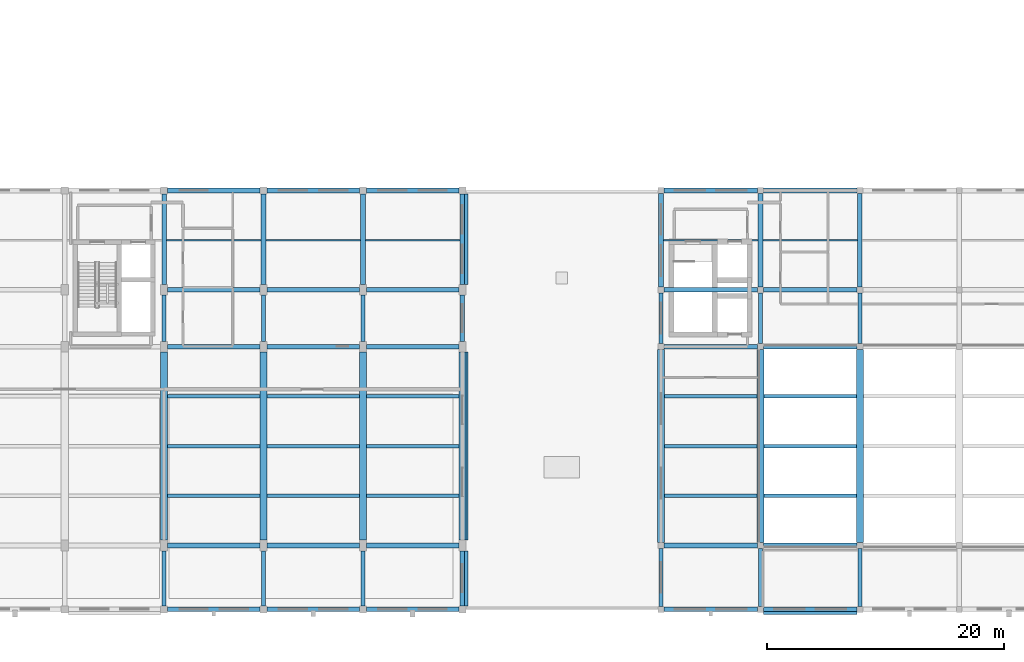
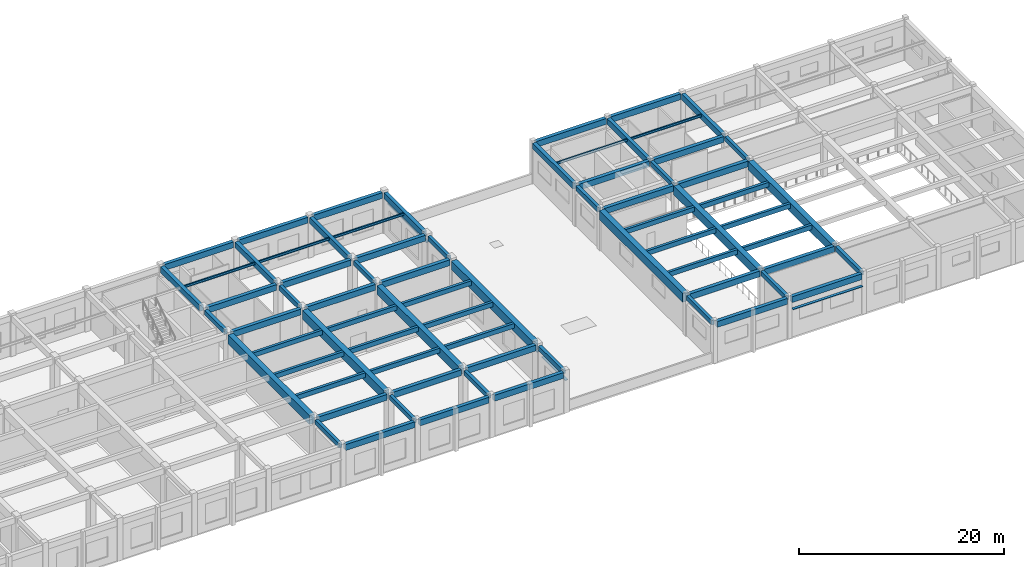
# One storey, part 21 of 77: 73 beams, 4 members.
"""IFC4 building model written with IfcOpenShell, lengths in metres."""

from ifc_helpers import new_model, si_unit, direction, frame, origin, origin_2d, place, context, subcontext, project, spatial, rectangle, hollow_rectangle, i_section, extrude, material, material_profile, profile_set, type_object, element, save


model = new_model("IFC4")

# Units and contexts
model_context = context("Model", 3, precision=1e-05, world=origin(), true_north=direction((0.0, 1.0)))
body_context = subcontext(model_context, "Body", "Model", "MODEL_VIEW")
ifc_project = project(units=[si_unit("LENGTHUNIT", "METRE"), si_unit("AREAUNIT", "SQUARE_METRE"), si_unit("VOLUMEUNIT", "CUBIC_METRE"), si_unit("PLANEANGLEUNIT", "RADIAN"), si_unit("MASSUNIT", "GRAM", prefix="KILO")], contexts=[model_context])

# Site, building, storey
site_placement = place(None, origin())
site = spatial("IfcSite", under=ifc_project, at=site_placement, CompositionType="ELEMENT")
building_placement = place(site_placement, origin())
building = spatial("IfcBuilding", under=site, at=building_placement, Name="Krzemoval Escarpment Law Courts", CompositionType="ELEMENT")
storey_placement = place(building_placement, frame((0.0, 0.0, 15.300048828125)))
storey = spatial("IfcBuildingStorey", under=building, at=storey_placement, Name="L03", CompositionType="ELEMENT", Elevation=15.300048828125)

# Beams
ifc_material_1 = material(Name="Concrete C50/60", Category="concrete")
ifc_material_profile_1 = material_profile(ifc_material_1, rectangle(XDim=0.60009765625, YDim=1.050048828125, at=origin_2d()), Name="PTG 600x1050")
ifc_profile_set_1 = profile_set([ifc_material_profile_1], Name="Concrete C50/60")
beam_type_1 = type_object("IfcBeamType", Name="BM-PTG-600x1050", PredefinedType="BEAM", material=ifc_profile_set_1)
for number, where, z_axis, x_axis, name in (
    (1, (67.199951171875, 5.85009765625, 4.31494140625), (0.0, 1.0, 0.0), (-1.0, 0.0, 0.0), "Beam FG-L03-2281"),
    (2, (75.60009765625, 5.85009765625, 4.31494140625), (0.0, 1.0, 0.0), (-1.0, 0.0, 0.0), "Beam FG-L03-2285"),
    (3, (84.0, 5.85009765625, 4.31494140625), (0.0, 1.0, 0.0), (-1.0, 0.0, 0.0), "Beam FG-L03-2289"),
    (4, (92.39990234375, 5.85009765625, 4.31494140625), (0.0, 1.0, 0.0), (-1.0, 0.0, 0.0), "Beam FG-L03-2293"),
):
    element("IfcBeam", number, at=place(storey_placement, frame(where, z_axis=z_axis, x_axis=x_axis)), inside=storey, type_object=beam_type_1, Name=name, PredefinedType="BEAM", context=body_context, shape_type="SweptSolid", body=[
        extrude(rectangle(XDim=0.60009765625, YDim=1.050048828125, at=origin_2d()), origin(), (0.0, 0.0, 1.0), 15.89990234375),
    ])
for number, where, z_axis, x_axis, name in (
    (5, (109.199951171875, 5.64990234375, 4.31494140625), (0.0, 1.0, 0.0), (-1.0, 0.0, 0.0), "Beam FG-L03-2297"),
    (6, (117.60009765625, 5.64990234375, 4.31494140625), (0.0, 1.0, 0.0), (-1.0, 0.0, 0.0), "Beam FG-L03-2301"),
    (7, (126.0, 5.64990234375, 4.31494140625), (0.0, 1.0, 0.0), (-1.0, 0.0, 0.0), "Beam FG-L03-2305"),
):
    element("IfcBeam", number, at=place(storey_placement, frame(where, z_axis=z_axis, x_axis=x_axis)), inside=storey, type_object=beam_type_1, Name=name, PredefinedType="BEAM", context=body_context, shape_type="SweptSolid", body=[
        extrude(rectangle(XDim=0.60009765625, YDim=1.050048828125, at=origin_2d()), origin(), (0.0, 0.0, 1.0), 16.300048828125),
    ])
ifc_material_2 = material(Name="Concrete C40/50", Category="concrete")
ifc_material_profile_2 = material_profile(ifc_material_2, rectangle(XDim=0.35009765625, YDim=0.550048828125, at=origin_2d()), Name="RCB 350x550")
ifc_profile_set_2 = profile_set([ifc_material_profile_2], Name="Concrete C40/50")
beam_type_2 = type_object("IfcBeamType", Name="BM-RC-350x550", PredefinedType="BEAM", material=ifc_profile_set_2)
beam_1_placement = place(storey_placement, frame((67.199951171875, 0.300048828125, 4.56494140625), z_axis=(0.0, 1.0, 0.0), x_axis=(-1.0, 0.0, 0.0)))
element("IfcBeam", 8, at=beam_1_placement, inside=storey, type_object=beam_type_2, Name="Beam FG-L03-2280", PredefinedType="BEAM", context=body_context, shape_type="SweptSolid", body=[
    extrude(rectangle(XDim=0.35009765625, YDim=0.550048828125, at=origin_2d()), origin(), (0.0, 0.0, 1.0), 4.64990234375),
])
beam_2_placement = place(storey_placement, frame((67.199951171875, 22.64990234375, 4.56494140625), z_axis=(0.0, 1.0, 0.0), x_axis=(-1.0, 0.0, 0.0)))
element("IfcBeam", 9, at=beam_2_placement, inside=storey, type_object=beam_type_2, Name="Beam FG-L03-2282", PredefinedType="BEAM", context=body_context, shape_type="SweptSolid", body=[
    extrude(rectangle(XDim=0.35009765625, YDim=0.550048828125, at=origin_2d()), origin(), (0.0, 0.0, 1.0), 3.900146484375),
])
beam_3_placement = place(storey_placement, frame((75.60009765625, 0.300048828125, 4.56494140625), z_axis=(0.0, 1.0, 0.0), x_axis=(-1.0, 0.0, 0.0)))
element("IfcBeam", 10, at=beam_3_placement, inside=storey, type_object=beam_type_2, Name="Beam FG-L03-2284", PredefinedType="BEAM", context=body_context, shape_type="SweptSolid", body=[
    extrude(rectangle(XDim=0.35009765625, YDim=0.550048828125, at=origin_2d()), origin(), (0.0, 0.0, 1.0), 4.64990234375),
])
beam_4_placement = place(storey_placement, frame((75.60009765625, 22.64990234375, 4.56494140625), z_axis=(0.0, 1.0, 0.0), x_axis=(-1.0, 0.0, 0.0)))
element("IfcBeam", 11, at=beam_4_placement, inside=storey, type_object=beam_type_2, Name="Beam FG-L03-2286", PredefinedType="BEAM", context=body_context, shape_type="SweptSolid", body=[
    extrude(rectangle(XDim=0.35009765625, YDim=0.550048828125, at=origin_2d()), origin(), (0.0, 0.0, 1.0), 3.900146484375),
])
beam_5_placement = place(storey_placement, frame((84.0, 0.300048828125, 4.56494140625), z_axis=(0.0, 1.0, 0.0), x_axis=(-1.0, 0.0, 0.0)))
element("IfcBeam", 12, at=beam_5_placement, inside=storey, type_object=beam_type_2, Name="Beam FG-L03-2288", PredefinedType="BEAM", context=body_context, shape_type="SweptSolid", body=[
    extrude(rectangle(XDim=0.35009765625, YDim=0.550048828125, at=origin_2d()), origin(), (0.0, 0.0, 1.0), 4.64990234375),
])
beam_6_placement = place(storey_placement, frame((84.0, 22.64990234375, 4.56494140625), z_axis=(0.0, 1.0, 0.0), x_axis=(-1.0, 0.0, 0.0)))
element("IfcBeam", 13, at=beam_6_placement, inside=storey, type_object=beam_type_2, Name="Beam FG-L03-2290", PredefinedType="BEAM", context=body_context, shape_type="SweptSolid", body=[
    extrude(rectangle(XDim=0.35009765625, YDim=0.550048828125, at=origin_2d()), origin(), (0.0, 0.0, 1.0), 3.900146484375),
])
beam_7_placement = place(storey_placement, frame((92.39990234375, 0.300048828125, 4.56494140625), z_axis=(0.0, 1.0, 0.0), x_axis=(-1.0, 0.0, 0.0)))
element("IfcBeam", 14, at=beam_7_placement, inside=storey, type_object=beam_type_2, Name="Beam FG-L03-2292", PredefinedType="BEAM", context=body_context, shape_type="SweptSolid", body=[
    extrude(rectangle(XDim=0.35009765625, YDim=0.550048828125, at=origin_2d()), origin(), (0.0, 0.0, 1.0), 4.64990234375),
])
beam_8_placement = place(storey_placement, frame((92.39990234375, 22.64990234375, 4.56494140625), z_axis=(0.0, 1.0, 0.0), x_axis=(-1.0, 0.0, 0.0)))
element("IfcBeam", 15, at=beam_8_placement, inside=storey, type_object=beam_type_2, Name="Beam FG-L03-2294", PredefinedType="BEAM", context=body_context, shape_type="SweptSolid", body=[
    extrude(rectangle(XDim=0.35009765625, YDim=0.550048828125, at=origin_2d()), origin(), (0.0, 0.0, 1.0), 3.900146484375),
])
beam_9_placement = place(storey_placement, frame((109.199951171875, 0.25, 4.56494140625), z_axis=(0.0, 1.0, 0.0), x_axis=(-1.0, 0.0, 0.0)))
element("IfcBeam", 16, at=beam_9_placement, inside=storey, type_object=beam_type_2, Name="Beam FG-L03-2296", PredefinedType="BEAM", context=body_context, shape_type="SweptSolid", body=[
    extrude(rectangle(XDim=0.35009765625, YDim=0.550048828125, at=origin_2d()), origin(), (0.0, 0.0, 1.0), 4.89990234375),
])
beam_10_placement = place(storey_placement, frame((109.199951171875, 22.449951171875, 4.56494140625), z_axis=(0.0, 1.0, 0.0), x_axis=(-1.0, 0.0, 0.0)))
element("IfcBeam", 17, at=beam_10_placement, inside=storey, type_object=beam_type_2, Name="Beam FG-L03-2298", PredefinedType="BEAM", context=body_context, shape_type="SweptSolid", body=[
    extrude(rectangle(XDim=0.35009765625, YDim=0.550048828125, at=origin_2d()), origin(), (0.0, 0.0, 1.0), 4.300048828125),
])
beam_11_placement = place(storey_placement, frame((117.60009765625, 0.25, 4.56494140625), z_axis=(0.0, 1.0, 0.0), x_axis=(-1.0, 0.0, 0.0)))
element("IfcBeam", 18, at=beam_11_placement, inside=storey, type_object=beam_type_2, Name="Beam FG-L03-2300", PredefinedType="BEAM", context=body_context, shape_type="SweptSolid", body=[
    extrude(rectangle(XDim=0.35009765625, YDim=0.550048828125, at=origin_2d()), origin(), (0.0, 0.0, 1.0), 4.89990234375),
])
beam_12_placement = place(storey_placement, frame((117.60009765625, 22.449951171875, 4.56494140625), z_axis=(0.0, 1.0, 0.0), x_axis=(-1.0, 0.0, 0.0)))
element("IfcBeam", 19, at=beam_12_placement, inside=storey, type_object=beam_type_2, Name="Beam FG-L03-2302", PredefinedType="BEAM", context=body_context, shape_type="SweptSolid", body=[
    extrude(rectangle(XDim=0.35009765625, YDim=0.550048828125, at=origin_2d()), origin(), (0.0, 0.0, 1.0), 4.300048828125),
])
beam_13_placement = place(storey_placement, frame((126.0, 0.25, 4.56494140625), z_axis=(0.0, 1.0, 0.0), x_axis=(-1.0, 0.0, 0.0)))
element("IfcBeam", 20, at=beam_13_placement, inside=storey, type_object=beam_type_2, Name="Beam FG-L03-2304", PredefinedType="BEAM", context=body_context, shape_type="SweptSolid", body=[
    extrude(rectangle(XDim=0.35009765625, YDim=0.550048828125, at=origin_2d()), origin(), (0.0, 0.0, 1.0), 4.89990234375),
])
beam_14_placement = place(storey_placement, frame((126.0, 22.449951171875, 4.56494140625), z_axis=(0.0, 1.0, 0.0), x_axis=(-1.0, 0.0, 0.0)))
element("IfcBeam", 21, at=beam_14_placement, inside=storey, type_object=beam_type_2, Name="Beam FG-L03-2306", PredefinedType="BEAM", context=body_context, shape_type="SweptSolid", body=[
    extrude(rectangle(XDim=0.35009765625, YDim=0.550048828125, at=origin_2d()), origin(), (0.0, 0.0, 1.0), 4.300048828125),
])
ifc_material_3 = material(Name="Concrete C40/50", Category="concrete")
ifc_material_profile_3 = material_profile(ifc_material_3, rectangle(XDim=0.39990234375, YDim=0.699951171875, at=origin_2d()), Name="RCB 400x700")
ifc_profile_set_3 = profile_set([ifc_material_profile_3], Name="Concrete C40/50")
beam_type_3 = type_object("IfcBeamType", Name="BM-RC-400x700", PredefinedType="BEAM", material=ifc_profile_set_3)
for number, where, z_axis, x_axis, name in (
    (22, (67.5, 0.0, 4.489990234375), (1.0, 0.0, 0.0), (0.0, 1.0, 0.0), "Beam FG-L03-2084"),
    (23, (75.89990234375, 0.0, 4.489990234375), (1.0, 0.0, 0.0), (0.0, 1.0, 0.0), "Beam FG-L03-2085"),
    (24, (84.300048828125, 0.0, 4.489990234375), (1.0, 0.0, 0.0), (0.0, 1.0, 0.0), "Beam FG-L03-2086"),
):
    element("IfcBeam", number, at=place(storey_placement, frame(where, z_axis=z_axis, x_axis=x_axis)), inside=storey, type_object=beam_type_3, Name=name, PredefinedType="BEAM", context=body_context, shape_type="SweptSolid", body=[
        extrude(rectangle(XDim=0.39990234375, YDim=0.699951171875, at=origin_2d()), origin(), (0.0, 0.0, 1.0), 7.800048828125),
    ])
beam_15_placement = place(storey_placement, frame((109.449951171875, 0.0, 4.489990234375), z_axis=(1.0, 0.0, 0.0), x_axis=(0.0, 1.0, 0.0)))
element("IfcBeam", 25, at=beam_15_placement, inside=storey, type_object=beam_type_3, Name="Beam FG-L03-2087", PredefinedType="BEAM", context=body_context, shape_type="SweptSolid", body=[
    extrude(rectangle(XDim=0.39990234375, YDim=0.699951171875, at=origin_2d()), origin(), (0.0, 0.0, 1.0), 7.900146484375),
])
beam_16_placement = place(storey_placement, frame((117.85009765625, 0.0, 4.489990234375), z_axis=(1.0, 0.0, 0.0), x_axis=(0.0, 1.0, 0.0)))
element("IfcBeam", 26, at=beam_16_placement, inside=storey, type_object=beam_type_3, Name="Beam FG-L03-2088", PredefinedType="BEAM", context=body_context, shape_type="SweptSolid", body=[
    extrude(rectangle(XDim=0.39990234375, YDim=0.699951171875, at=origin_2d()), origin(), (0.0, 0.0, 1.0), 7.89990234375),
])
for number, where, z_axis, x_axis, name in (
    (27, (67.5, 5.39990234375, 4.489990234375), (1.0, 0.0, 0.0), (0.0, 1.0, 0.0), "Beam FG-L03-2099"),
    (28, (75.89990234375, 5.39990234375, 4.489990234375), (1.0, 0.0, 0.0), (0.0, 1.0, 0.0), "Beam FG-L03-2100"),
    (29, (84.300048828125, 5.39990234375, 4.489990234375), (1.0, 0.0, 0.0), (0.0, 1.0, 0.0), "Beam FG-L03-2101"),
):
    element("IfcBeam", number, at=place(storey_placement, frame(where, z_axis=z_axis, x_axis=x_axis)), inside=storey, type_object=beam_type_3, Name=name, PredefinedType="BEAM", context=body_context, shape_type="SweptSolid", body=[
        extrude(rectangle(XDim=0.39990234375, YDim=0.699951171875, at=origin_2d()), origin(), (0.0, 0.0, 1.0), 7.800048828125),
    ])
beam_17_placement = place(storey_placement, frame((109.449951171875, 5.39990234375, 4.489990234375), z_axis=(1.0, 0.0, 0.0), x_axis=(0.0, 1.0, 0.0)))
element("IfcBeam", 30, at=beam_17_placement, inside=storey, type_object=beam_type_3, Name="Beam FG-L03-2102", PredefinedType="BEAM", context=body_context, shape_type="SweptSolid", body=[
    extrude(rectangle(XDim=0.39990234375, YDim=0.699951171875, at=origin_2d()), origin(), (0.0, 0.0, 1.0), 7.900146484375),
])
beam_18_placement = place(storey_placement, frame((117.85009765625, 5.39990234375, 4.489990234375), z_axis=(1.0, 0.0, 0.0), x_axis=(0.0, 1.0, 0.0)))
element("IfcBeam", 31, at=beam_18_placement, inside=storey, type_object=beam_type_3, Name="Beam FG-L03-2103", PredefinedType="BEAM", context=body_context, shape_type="SweptSolid", body=[
    extrude(rectangle(XDim=0.39990234375, YDim=0.699951171875, at=origin_2d()), origin(), (0.0, 0.0, 1.0), 7.89990234375),
])
for number, where, z_axis, x_axis, name in (
    (32, (67.5, 22.199951171875, 4.489990234375), (1.0, 0.0, 0.0), (0.0, 1.0, 0.0), "Beam FG-L03-2111"),
    (33, (75.89990234375, 22.199951171875, 4.489990234375), (1.0, 0.0, 0.0), (0.0, 1.0, 0.0), "Beam FG-L03-2112"),
    (34, (84.300048828125, 22.199951171875, 4.489990234375), (1.0, 0.0, 0.0), (0.0, 1.0, 0.0), "Beam FG-L03-2113"),
):
    element("IfcBeam", number, at=place(storey_placement, frame(where, z_axis=z_axis, x_axis=x_axis)), inside=storey, type_object=beam_type_3, Name=name, PredefinedType="BEAM", context=body_context, shape_type="SweptSolid", body=[
        extrude(rectangle(XDim=0.39990234375, YDim=0.699951171875, at=origin_2d()), origin(), (0.0, 0.0, 1.0), 7.800048828125),
    ])
beam_19_placement = place(storey_placement, frame((109.449951171875, 22.199951171875, 4.489990234375), z_axis=(1.0, 0.0, 0.0), x_axis=(0.0, 1.0, 0.0)))
element("IfcBeam", 35, at=beam_19_placement, inside=storey, type_object=beam_type_3, Name="Beam FG-L03-2114", PredefinedType="BEAM", context=body_context, shape_type="SweptSolid", body=[
    extrude(rectangle(XDim=0.39990234375, YDim=0.699951171875, at=origin_2d()), origin(), (0.0, 0.0, 1.0), 7.900146484375),
])
beam_20_placement = place(storey_placement, frame((117.85009765625, 22.199951171875, 4.489990234375), z_axis=(1.0, 0.0, 0.0), x_axis=(0.0, 1.0, 0.0)))
element("IfcBeam", 36, at=beam_20_placement, inside=storey, type_object=beam_type_3, Name="Beam FG-L03-2115", PredefinedType="BEAM", context=body_context, shape_type="SweptSolid", body=[
    extrude(rectangle(XDim=0.39990234375, YDim=0.699951171875, at=origin_2d()), origin(), (0.0, 0.0, 1.0), 7.89990234375),
])
for number, where, z_axis, x_axis, name in (
    (37, (67.5, 27.0, 4.489990234375), (1.0, 0.0, 0.0), (0.0, 1.0, 0.0), "Beam FG-L03-2125"),
    (38, (75.89990234375, 27.0, 4.489990234375), (1.0, 0.0, 0.0), (0.0, 1.0, 0.0), "Beam FG-L03-2126"),
    (39, (84.300048828125, 27.0, 4.489990234375), (1.0, 0.0, 0.0), (0.0, 1.0, 0.0), "Beam FG-L03-2127"),
):
    element("IfcBeam", number, at=place(storey_placement, frame(where, z_axis=z_axis, x_axis=x_axis)), inside=storey, type_object=beam_type_3, Name=name, PredefinedType="BEAM", context=body_context, shape_type="SweptSolid", body=[
        extrude(rectangle(XDim=0.39990234375, YDim=0.699951171875, at=origin_2d()), origin(), (0.0, 0.0, 1.0), 7.800048828125),
    ])
beam_21_placement = place(storey_placement, frame((109.449951171875, 27.0, 4.489990234375), z_axis=(1.0, 0.0, 0.0), x_axis=(0.0, 1.0, 0.0)))
element("IfcBeam", 40, at=beam_21_placement, inside=storey, type_object=beam_type_3, Name="Beam FG-L03-2128", PredefinedType="BEAM", context=body_context, shape_type="SweptSolid", body=[
    extrude(rectangle(XDim=0.39990234375, YDim=0.699951171875, at=origin_2d()), origin(), (0.0, 0.0, 1.0), 7.900146484375),
])
beam_22_placement = place(storey_placement, frame((117.85009765625, 27.0, 4.489990234375), z_axis=(1.0, 0.0, 0.0), x_axis=(0.0, 1.0, 0.0)))
element("IfcBeam", 41, at=beam_22_placement, inside=storey, type_object=beam_type_3, Name="Beam FG-L03-2129", PredefinedType="BEAM", context=body_context, shape_type="SweptSolid", body=[
    extrude(rectangle(XDim=0.39990234375, YDim=0.699951171875, at=origin_2d()), origin(), (0.0, 0.0, 1.0), 7.89990234375),
])
for number, where, z_axis, x_axis, name in (
    (42, (67.5, 35.39990234375, 4.489990234375), (1.0, 0.0, 0.0), (0.0, 1.0, 0.0), "Beam FG-L03-2141"),
    (43, (75.89990234375, 35.39990234375, 4.489990234375), (1.0, 0.0, 0.0), (0.0, 1.0, 0.0), "Beam FG-L03-2142"),
    (44, (84.300048828125, 35.39990234375, 4.489990234375), (1.0, 0.0, 0.0), (0.0, 1.0, 0.0), "Beam FG-L03-2143"),
):
    element("IfcBeam", number, at=place(storey_placement, frame(where, z_axis=z_axis, x_axis=x_axis)), inside=storey, type_object=beam_type_3, Name=name, PredefinedType="BEAM", context=body_context, shape_type="SweptSolid", body=[
        extrude(rectangle(XDim=0.39990234375, YDim=0.699951171875, at=origin_2d()), origin(), (0.0, 0.0, 1.0), 7.800048828125),
    ])
beam_23_placement = place(storey_placement, frame((109.449951171875, 35.39990234375, 4.489990234375), z_axis=(1.0, 0.0, 0.0), x_axis=(0.0, 1.0, 0.0)))
element("IfcBeam", 45, at=beam_23_placement, inside=storey, type_object=beam_type_3, Name="Beam FG-L03-2144", PredefinedType="BEAM", context=body_context, shape_type="SweptSolid", body=[
    extrude(rectangle(XDim=0.39990234375, YDim=0.699951171875, at=origin_2d()), origin(), (0.0, 0.0, 1.0), 7.900146484375),
])
beam_24_placement = place(storey_placement, frame((117.85009765625, 35.39990234375, 4.489990234375), z_axis=(1.0, 0.0, 0.0), x_axis=(0.0, 1.0, 0.0)))
element("IfcBeam", 46, at=beam_24_placement, inside=storey, type_object=beam_type_3, Name="Beam FG-L03-2145", PredefinedType="BEAM", context=body_context, shape_type="SweptSolid", body=[
    extrude(rectangle(XDim=0.39990234375, YDim=0.699951171875, at=origin_2d()), origin(), (0.0, 0.0, 1.0), 7.89990234375),
])
for number, where, z_axis, x_axis, name in (
    (47, (67.199951171875, 27.449951171875, 4.489990234375), (0.0, 1.0, 0.0), (-1.0, 0.0, 0.0), "Beam FG-L03-2283"),
    (48, (75.60009765625, 27.449951171875, 4.489990234375), (0.0, 1.0, 0.0), (-1.0, 0.0, 0.0), "Beam FG-L03-2287"),
    (49, (84.0, 27.449951171875, 4.489990234375), (0.0, 1.0, 0.0), (-1.0, 0.0, 0.0), "Beam FG-L03-2291"),
    (50, (92.39990234375, 27.449951171875, 4.489990234375), (0.0, 1.0, 0.0), (-1.0, 0.0, 0.0), "Beam FG-L03-2295"),
):
    element("IfcBeam", number, at=place(storey_placement, frame(where, z_axis=z_axis, x_axis=x_axis)), inside=storey, type_object=beam_type_3, Name=name, PredefinedType="BEAM", context=body_context, shape_type="SweptSolid", body=[
        extrude(rectangle(XDim=0.39990234375, YDim=0.699951171875, at=origin_2d()), origin(), (0.0, 0.0, 1.0), 7.650146484375),
    ])
for number, where, z_axis, x_axis, name in (
    (51, (109.199951171875, 27.25, 4.489990234375), (0.0, 1.0, 0.0), (-1.0, 0.0, 0.0), "Beam FG-L03-2299"),
    (52, (117.60009765625, 27.25, 4.489990234375), (0.0, 1.0, 0.0), (-1.0, 0.0, 0.0), "Beam FG-L03-2303"),
    (53, (126.0, 27.25, 4.489990234375), (0.0, 1.0, 0.0), (-1.0, 0.0, 0.0), "Beam FG-L03-2307"),
):
    element("IfcBeam", number, at=place(storey_placement, frame(where, z_axis=z_axis, x_axis=x_axis)), inside=storey, type_object=beam_type_3, Name=name, PredefinedType="BEAM", context=body_context, shape_type="SweptSolid", body=[
        extrude(rectangle(XDim=0.39990234375, YDim=0.699951171875, at=origin_2d()), origin(), (0.0, 0.0, 1.0), 7.89990234375),
    ])
ifc_material_4 = material(Name="Concrete C40/50", Category="concrete")
ifc_material_profile_4 = material_profile(ifc_material_4, rectangle(XDim=0.300048828125, YDim=0.550048828125, at=origin_2d()), Name="RCB 300x550")
ifc_profile_set_4 = profile_set([ifc_material_profile_4], Name="Concrete C40/50")
beam_type_4 = type_object("IfcBeamType", Name="JST-RC-300x550", PredefinedType="JOIST", material=ifc_profile_set_4)
for number, where, z_axis, x_axis, name in (
    (54, (67.5, 9.60009765625, 4.56494140625), (1.0, 0.0, 0.0), (0.0, 1.0, 0.0), "Secondary Joist FJ-L03-2390"),
    (55, (67.5, 13.800048828125, 4.56494140625), (1.0, 0.0, 0.0), (0.0, 1.0, 0.0), "Secondary Joist FJ-L03-2391"),
    (56, (67.5, 18.0, 4.56494140625), (1.0, 0.0, 0.0), (0.0, 1.0, 0.0), "Secondary Joist FJ-L03-2392"),
    (57, (75.89990234375, 9.60009765625, 4.56494140625), (1.0, 0.0, 0.0), (0.0, 1.0, 0.0), "Secondary Joist FJ-L03-2394"),
    (58, (75.89990234375, 13.800048828125, 4.56494140625), (1.0, 0.0, 0.0), (0.0, 1.0, 0.0), "Secondary Joist FJ-L03-2395"),
    (59, (75.89990234375, 18.0, 4.56494140625), (1.0, 0.0, 0.0), (0.0, 1.0, 0.0), "Secondary Joist FJ-L03-2396"),
    (60, (84.300048828125, 9.60009765625, 4.56494140625), (1.0, 0.0, 0.0), (0.0, 1.0, 0.0), "Secondary Joist FJ-L03-2398"),
    (61, (84.300048828125, 13.800048828125, 4.56494140625), (1.0, 0.0, 0.0), (0.0, 1.0, 0.0), "Secondary Joist FJ-L03-2399"),
    (62, (84.300048828125, 18.0, 4.56494140625), (1.0, 0.0, 0.0), (0.0, 1.0, 0.0), "Secondary Joist FJ-L03-2400"),
    (63, (109.5, 9.60009765625, 4.56494140625), (1.0, 0.0, 0.0), (0.0, 1.0, 0.0), "Secondary Joist FJ-L03-2402"),
    (64, (109.5, 13.800048828125, 4.56494140625), (1.0, 0.0, 0.0), (0.0, 1.0, 0.0), "Secondary Joist FJ-L03-2403"),
    (65, (109.5, 18.0, 4.56494140625), (1.0, 0.0, 0.0), (0.0, 1.0, 0.0), "Secondary Joist FJ-L03-2404"),
    (66, (117.89990234375, 9.60009765625, 4.56494140625), (1.0, 0.0, 0.0), (0.0, 1.0, 0.0), "Secondary Joist FJ-L03-2406"),
    (67, (117.89990234375, 13.800048828125, 4.56494140625), (1.0, 0.0, 0.0), (0.0, 1.0, 0.0), "Secondary Joist FJ-L03-2407"),
    (68, (117.89990234375, 18.0, 4.56494140625), (1.0, 0.0, 0.0), (0.0, 1.0, 0.0), "Secondary Joist FJ-L03-2408"),
):
    element("IfcBeam", number, at=place(storey_placement, frame(where, z_axis=z_axis, x_axis=x_axis)), inside=storey, type_object=beam_type_4, Name=name, PredefinedType="JOIST", context=body_context, shape_type="SweptSolid", body=[
        extrude(rectangle(XDim=0.300048828125, YDim=0.550048828125, at=origin_2d()), origin(), (0.0, 0.0, 1.0), 7.800048828125),
    ])
ifc_material_5 = material(Name="Steel S355", Category="steel")
ifc_material_profile_5 = material_profile(ifc_material_5, i_section(OverallWidth=0.14990234375, OverallDepth=0.300048828125, WebThickness=0.007080078125, FlangeThickness=0.0107421875, at=origin_2d()), Name="IPE 300")
ifc_profile_set_5 = profile_set([ifc_material_profile_5], Name="Steel S355")
beam_type_5 = type_object("IfcBeamType", Name="JST-S355-IPE300", PredefinedType="JOIST", material=ifc_profile_set_5)
for number, where, z_axis, x_axis, name in (
    (69, (67.39990234375, 31.199951171875, 4.68994140625), (1.0, 0.0, 0.0), (0.0, 1.0, 0.0), "Secondary Joist FJ-L03-2393"),
    (70, (75.800048828125, 31.199951171875, 4.68994140625), (1.0, 0.0, 0.0), (0.0, 1.0, 0.0), "Secondary Joist FJ-L03-2397"),
    (71, (84.199951171875, 31.199951171875, 4.68994140625), (1.0, 0.0, 0.0), (0.0, 1.0, 0.0), "Secondary Joist FJ-L03-2401"),
    (72, (109.39990234375, 31.199951171875, 4.68994140625), (1.0, 0.0, 0.0), (0.0, 1.0, 0.0), "Secondary Joist FJ-L03-2405"),
    (73, (117.800048828125, 31.199951171875, 4.68994140625), (1.0, 0.0, 0.0), (0.0, 1.0, 0.0), "Secondary Joist FJ-L03-2409"),
):
    element("IfcBeam", number, at=place(storey_placement, frame(where, z_axis=z_axis, x_axis=x_axis)), inside=storey, type_object=beam_type_5, Name=name, PredefinedType="JOIST", context=body_context, shape_type="SweptSolid", body=[
        extrude(i_section(OverallWidth=0.14990234375, OverallDepth=0.300048828125, WebThickness=0.007080078125, FlangeThickness=0.0107421875, at=origin_2d()), origin(), (0.0, 0.0, 1.0), 8.0),
    ])

# Members
ifc_material_6 = material(Name="Anodised Aluminium Alloy 6063-T6", Category="aluminium")
ifc_material_profile_6 = material_profile(ifc_material_6, hollow_rectangle(XDim=0.06005859375, YDim=0.320068359375, WallThickness=0.00390625, at=origin_2d()), Name="ALU LVR 60x320")
ifc_profile_set_6 = profile_set([ifc_material_profile_6], Name="Anodised Aluminium Alloy 6063-T6")
member_type = type_object("IfcMemberType", Name="LVR-ALU-320", PredefinedType="USERDEFINED", material=ifc_profile_set_6)
member_1_placement = place(storey_placement, frame((92.719970703125, 35.10009765625, 3.409912109375), z_axis=(0.0, -1.0, 0.0), x_axis=(0.0, 0.0, 1.0)))
element("IfcMember", 74, at=member_1_placement, inside=storey, type_object=member_type, Name="Window Sunshade Louvre FLV-L03-0761", ObjectType="SUNSHADE_LOUVRE", PredefinedType="USERDEFINED", context=body_context, shape_type="SweptSolid", body=[
    extrude(hollow_rectangle(XDim=0.06005859375, YDim=0.320068359375, WallThickness=0.00390625, at=origin_2d()), origin(), (0.0, 0.0, 1.0), 7.650146484375),
])
member_2_placement = place(storey_placement, frame((92.719970703125, 21.75, 3.409912109375), z_axis=(0.0, -1.0, 0.0), x_axis=(0.0, 0.0, 1.0)))
element("IfcMember", 75, at=member_2_placement, inside=storey, type_object=member_type, Name="Window Sunshade Louvre FLV-L03-0762", ObjectType="SUNSHADE_LOUVRE", PredefinedType="USERDEFINED", context=body_context, shape_type="SweptSolid", body=[
    extrude(hollow_rectangle(XDim=0.06005859375, YDim=0.320068359375, WallThickness=0.00390625, at=origin_2d()), origin(), (0.0, 0.0, 1.0), 15.89990234375),
])
member_3_placement = place(storey_placement, frame((92.719970703125, 4.949951171875, 3.409912109375), z_axis=(0.0, -1.0, 0.0), x_axis=(0.0, 0.0, 1.0)))
element("IfcMember", 76, at=member_3_placement, inside=storey, type_object=member_type, Name="Window Sunshade Louvre FLV-L03-0763", ObjectType="SUNSHADE_LOUVRE", PredefinedType="USERDEFINED", context=body_context, shape_type="SweptSolid", body=[
    extrude(hollow_rectangle(XDim=0.06005859375, YDim=0.320068359375, WallThickness=0.00390625, at=origin_2d()), origin(), (0.0, 0.0, 1.0), 4.64990234375),
])
member_4_placement = place(storey_placement, frame((125.75, -0.280029296875, 3.4599609375), z_axis=(-1.0, 0.0, 0.0), x_axis=(0.0, 0.0, 1.0)))
element("IfcMember", 77, at=member_4_placement, inside=storey, type_object=member_type, Name="Window Sunshade Louvre FLV-L03-0769", ObjectType="SUNSHADE_LOUVRE", PredefinedType="USERDEFINED", context=body_context, shape_type="SweptSolid", body=[
    extrude(hollow_rectangle(XDim=0.06005859375, YDim=0.320068359375, WallThickness=0.00390625, at=origin_2d()), origin(), (0.0, 0.0, 1.0), 7.89990234375),
])

save(model, "model.ifc")
